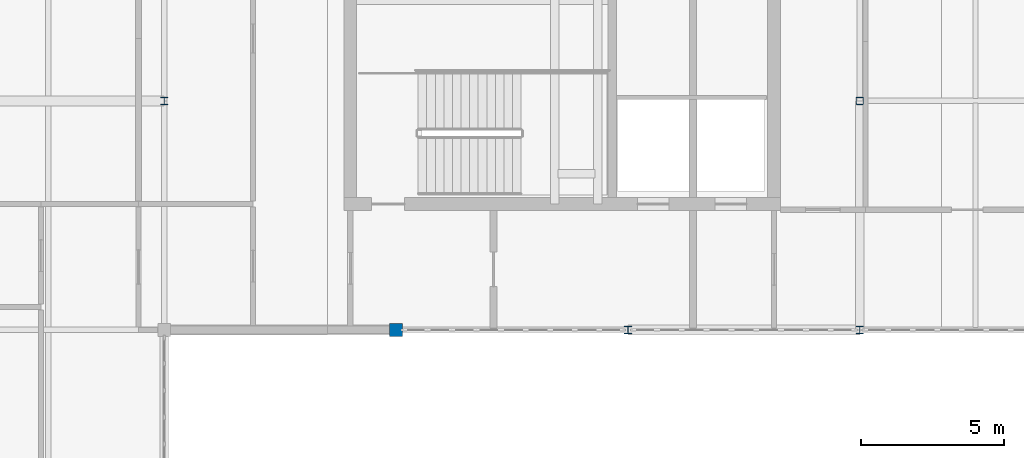
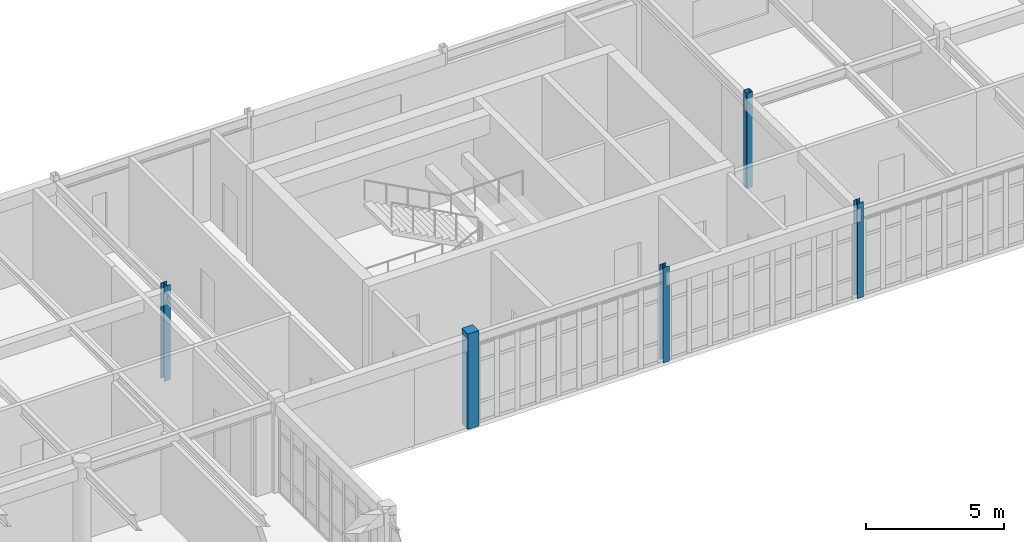
# One storey, part 3 of 36: 5 columns.
"""IFC4 building model written with IfcOpenShell, lengths in metres."""

import ifcopenshell
import ifcopenshell.guid

model = None  # the IFC model being written
_history = None  # IfcOwnerHistory: only IFC2X3 demands one
_inside = {}  # id of a spatial element -> (the spatial element, [elements in it])
_under = {}  # id of a project, library or spatial element -> (it, [spatial elements below it])
_declared = {}  # id of a project -> (the project, [libraries it declares])
_typed = {}  # id of a type object -> (the type object, [elements of that type])
_made_of = {}  # id of a material, layer set ... -> (it, [elements and type objects made of it])


def new_model(schema):
    """Start an empty IFC model of exactly this schema.

    Asked for "IFC4X3", IfcOpenShell would pick the latest addendum, in which some entities
    have other attributes; the version numbers below select the first issue.
    IFC2X3 requires an IfcOwnerHistory on every rooted entity: one is made here for all.
    """
    global model, _history
    if schema == "IFC4X3":
        model = ifcopenshell.file(schema_version=(4, 3, 0, 0))
    else:
        model = ifcopenshell.file(schema=schema)
    _inside.clear()
    _under.clear()
    _declared.clear()
    _typed.clear()
    _made_of.clear()
    _history = None
    if model.schema == "IFC2X3":
        org = make("IfcOrganization", Name="unknown")
        user = make(
            "IfcPersonAndOrganization",
            ThePerson=make("IfcPerson", FamilyName="unknown"),
            TheOrganization=org,
        )
        app = make(
            "IfcApplication",
            ApplicationDeveloper=org,
            Version="unknown",
            ApplicationFullName="unknown",
            ApplicationIdentifier="unknown",
        )
        _history = make(
            "IfcOwnerHistory",
            OwningUser=user,
            OwningApplication=app,
            ChangeAction="ADDED",
            CreationDate=0,
        )
    return model


def make(cls, **values):
    """One entity of the class cls with the attributes given. An attribute that is None is left unset."""
    return model.create_entity(
        cls, **{name: value for name, value in values.items() if value is not None}
    )


def rooted(cls, **values):
    """An entity with a GlobalId (a new one), such as an element, a storey or a relation."""
    return make(cls, GlobalId=ifcopenshell.guid.new(), OwnerHistory=_history, **values)


def si_unit(unit_type, name, prefix=None):
    """IfcSIUnit, for example si_unit("LENGTHUNIT", "METRE", prefix="MILLI")."""
    return make("IfcSIUnit", UnitType=unit_type, Prefix=prefix, Name=name)


def assignment(units):
    """IfcUnitAssignment: the units of a project."""
    return None if units is None else make("IfcUnitAssignment", Units=units)


def point(xyz):
    """IfcCartesianPoint."""
    return None if xyz is None else make("IfcCartesianPoint", Coordinates=xyz)


def direction(xyz):
    """IfcDirection."""
    return None if xyz is None else make("IfcDirection", DirectionRatios=xyz)


def frame(location, z_axis=None, x_axis=None):
    """IfcAxis2Placement3D, a coordinate frame: its origin and axes. An axis left out is left unset."""
    return make(
        "IfcAxis2Placement3D",
        Location=point(location),
        Axis=direction(z_axis),
        RefDirection=direction(x_axis),
    )


def frame_2d(location, x_axis=None):
    """IfcAxis2Placement2D, a coordinate frame in the plane: its origin and x axis."""
    return make(
        "IfcAxis2Placement2D", Location=point(location), RefDirection=direction(x_axis)
    )


def origin():
    """The frame at (0, 0, 0) with its axes left unset."""
    return frame((0.0, 0.0, 0.0))


def origin_2d():
    """The frame at (0, 0) in the plane with its x axis left unset."""
    return frame_2d((0.0, 0.0))


def place(relative_to, where):
    """IfcLocalPlacement: puts the frame where relative to a parent placement (None: the world)."""
    return make(
        "IfcLocalPlacement", PlacementRelTo=relative_to, RelativePlacement=where
    )


def context(
    kind, dimensions, precision=None, world=None, true_north=None, identifier=None
):
    """IfcGeometricRepresentationContext, for example the 3D "Model" context."""
    return make(
        "IfcGeometricRepresentationContext",
        ContextIdentifier=identifier,
        ContextType=kind,
        CoordinateSpaceDimension=dimensions,
        Precision=precision,
        WorldCoordinateSystem=world,
        TrueNorth=true_north,
    )


def subcontext(parent, identifier, kind, view, scale=None):
    """IfcGeometricRepresentationSubContext, for example "Body" below "Model"."""
    return make(
        "IfcGeometricRepresentationSubContext",
        ContextIdentifier=identifier,
        ContextType=kind,
        ParentContext=parent,
        TargetScale=scale,
        TargetView=view,
    )


def project(units=None, contexts=None):
    """IfcProject with its units and contexts."""
    return rooted(
        "IfcProject",
        Name="project",
        RepresentationContexts=contexts,
        UnitsInContext=assignment(units),
    )


def spatial(cls, under=None, at=None, **own):
    """A site, building, storey or space (cls), placed at a placement, below another one or the project."""
    s = rooted(cls, ObjectPlacement=at, **own)
    if under is not None:
        _under.setdefault(under.id(), (under, []))[1].append(s)
    return s


def profile(cls, at=None, kind="AREA", **sizes):
    """A parametric profile (cls). Its sizes go by their IFC names, for example OverallWidth=200.0."""
    return make(cls, ProfileType=kind, Position=at, **sizes)


def rectangle(**sizes):
    """IfcRectangleProfileDef."""
    return profile("IfcRectangleProfileDef", **sizes)


def hollow_rectangle(**sizes):
    """IfcRectangleHollowProfileDef."""
    return profile("IfcRectangleHollowProfileDef", **sizes)


def i_section(**sizes):
    """IfcIShapeProfileDef."""
    return profile("IfcIShapeProfileDef", **sizes)


def extrude(swept, where, along, depth):
    """IfcExtrudedAreaSolid: the profile swept, set in the frame where, extruded along a direction by depth."""
    return make(
        "IfcExtrudedAreaSolid",
        SweptArea=swept,
        Position=where,
        ExtrudedDirection=direction(along),
        Depth=depth,
    )


def shape(context_of_items, identifier, shape_type, items):
    """IfcShapeRepresentation: the items that make up one representation, for example the "Body"."""
    return make(
        "IfcShapeRepresentation",
        ContextOfItems=context_of_items,
        RepresentationIdentifier=identifier,
        RepresentationType=shape_type,
        Items=items,
    )


def material(Name=None, Category=None):
    """IfcMaterial."""
    return make("IfcMaterial", Name=Name, Category=Category)


def material_profile(
    of_material, cross_section, Name=None, Category=None, Priority=None
):
    """IfcMaterialProfile: a cross section and its material."""
    return make(
        "IfcMaterialProfile",
        Name=Name,
        Material=of_material,
        Profile=cross_section,
        Priority=Priority,
        Category=Category,
    )


def profile_set(profiles, Name=None, composite=None):
    """IfcMaterialProfileSet."""
    return make(
        "IfcMaterialProfileSet",
        Name=Name,
        MaterialProfiles=profiles,
        CompositeProfile=composite,
    )


def made_of(thing, what):
    """Note that an element or type object is made of a material, layer set ...; save() writes the relation."""
    if what is not None:
        _made_of.setdefault(what.id(), (what, []))[1].append(thing)
    return thing


def type_object(cls, material=None, **own):
    """A type object (cls), such as IfcWallType, which elements share."""
    return made_of(rooted(cls, **own), material)


def element(
    cls,
    number,
    at=None,
    inside=None,
    cuts=None,
    type_object=None,
    material=None,
    context=None,
    identifier="Body",
    shape_type=None,
    held_by="IfcProductDefinitionShape",
    body=None,
    shapes=None,
    **own,
):
    """One element of the class cls, such as IfcWall. Its Tag is "e" and its number.

    at: its placement. inside: the storey or other place that contains it. cuts: it is an
    opening in that element (IfcRelVoidsElement). A single representation is given by context,
    identifier, shape_type and body (its items); several are given by shapes. held_by: the class
    of the entity that holds the representations. save() writes the other relations.
    """
    e = rooted(cls, Tag="e%d" % number, ObjectPlacement=at, **own)
    if body is not None:
        shapes = [shape(context, identifier, shape_type, body)]
    if shapes is not None:
        e.Representation = make(held_by, Representations=shapes)
    if inside is not None:
        _inside.setdefault(inside.id(), (inside, []))[1].append(e)
    if cuts is not None:
        rooted(
            "IfcRelVoidsElement", RelatingBuildingElement=cuts, RelatedOpeningElement=e
        )
    if type_object is not None:
        _typed.setdefault(type_object.id(), (type_object, []))[1].append(e)
    return made_of(e, material)


def aggregate(whole, parts):
    """IfcRelAggregates: a whole, such as a stair, and the parts it consists of."""
    return rooted("IfcRelAggregates", RelatingObject=whole, RelatedObjects=parts)


def save(model, path):
    """Write the relations noted so far, then the file.

    IfcRelAggregates (storeys below a building ...), IfcRelContainedInSpatialStructure (elements
    in a storey), IfcRelDefinesByType, IfcRelAssociatesMaterial and IfcRelDeclares: one each for
    every whole, place, type object, material and project.
    """
    for whole, parts in _under.values():
        aggregate(whole, parts)
    for where, things in _inside.values():
        rooted(
            "IfcRelContainedInSpatialStructure",
            RelatedElements=things,
            RelatingStructure=where,
        )
    for kind, things in _typed.values():
        rooted("IfcRelDefinesByType", RelatedObjects=things, RelatingType=kind)
    for what, things in _made_of.values():
        rooted("IfcRelAssociatesMaterial", RelatedObjects=things, RelatingMaterial=what)
    for by, libraries in _declared.values():
        rooted("IfcRelDeclares", RelatingContext=by, RelatedDefinitions=libraries)
    model.write(path)


model = new_model("IFC4")

# Units and contexts
model_context = context("Model", 3, precision=1e-05, world=origin(), true_north=direction((0.0, 1.0)))
body_context = subcontext(model_context, "Body", "Model", "MODEL_VIEW")
ifc_project = project(units=[si_unit("LENGTHUNIT", "METRE"), si_unit("AREAUNIT", "SQUARE_METRE"), si_unit("VOLUMEUNIT", "CUBIC_METRE"), si_unit("PLANEANGLEUNIT", "RADIAN"), si_unit("MASSUNIT", "GRAM", prefix="KILO")], contexts=[model_context])

# Site, building, storey
site_placement = place(None, origin())
site = spatial("IfcSite", under=ifc_project, at=site_placement, CompositionType="ELEMENT")
building_placement = place(site_placement, origin())
building = spatial("IfcBuilding", under=site, at=building_placement, Name="Tarnveldt Square Police Headquarters", CompositionType="ELEMENT")
storey_placement = place(building_placement, frame((0.0, 0.0, 24.89990234375)))
storey = spatial("IfcBuildingStorey", under=building, at=storey_placement, Name="L05", CompositionType="ELEMENT", Elevation=24.89990234375)

# Columns
ifc_material_1 = material(Name="Steel 350W", Category="steel")
ifc_material_profile_1 = material_profile(ifc_material_1, hollow_rectangle(XDim=0.25390625, YDim=0.25390625, WallThickness=0.0126953125, InnerFilletRadius=0.0126953125, OuterFilletRadius=0.025390625, at=origin_2d()), Name="HSS254x254x13")
ifc_profile_set_1 = profile_set([ifc_material_profile_1], Name="Steel 350W")
column_type_1 = type_object("IfcColumnType", Name="COL-HSS254x13", PredefinedType="COLUMN", material=ifc_profile_set_1)
column_1_placement = place(storey_placement, frame((64.800048828125, 104.0, 0.0), z_axis=(0.0, 0.0, 1.0), x_axis=(1.0, 0.0, 0.0)))
element("IfcColumn", 1, at=column_1_placement, inside=storey, type_object=column_type_1, Name="L05 Column 105", PredefinedType="COLUMN", context=body_context, shape_type="SweptSolid", body=[
    extrude(hollow_rectangle(XDim=0.25390625, YDim=0.25390625, WallThickness=0.0126953125, InnerFilletRadius=0.0126953125, OuterFilletRadius=0.025390625, at=origin_2d()), origin(), (0.0, 0.0, 1.0), 4.2001953125),
])
ifc_material_2 = material(Name="Concrete 40 MPa", Category="concrete")
ifc_material_profile_2 = material_profile(ifc_material_2, rectangle(XDim=0.449951171875, YDim=0.449951171875, at=origin_2d()), Name="RC-C450x450")
ifc_profile_set_2 = profile_set([ifc_material_profile_2], Name="Concrete 40 MPa")
column_type_2 = type_object("IfcColumnType", Name="COL-RC450", PredefinedType="COLUMN", material=ifc_profile_set_2)
column_2_placement = place(storey_placement, frame((48.60009765625, 96.0, 0.0), z_axis=(0.0, 0.0, 1.0), x_axis=(1.0, 0.0, 0.0)))
element("IfcColumn", 2, at=column_2_placement, inside=storey, type_object=column_type_2, Name="L05 Column 079", PredefinedType="COLUMN", context=body_context, shape_type="SweptSolid", body=[
    extrude(rectangle(XDim=0.449951171875, YDim=0.449951171875, at=origin_2d()), origin(), (0.0, 0.0, 1.0), 4.2001953125),
])
ifc_material_profile_3 = material_profile(ifc_material_1, i_section(OverallWidth=0.256103515625, OverallDepth=0.260009765625, WebThickness=0.0107421875, FlangeThickness=0.017333984375, FilletRadius=0.012939453125, at=origin_2d()), Name="W250x89")
ifc_profile_set_3 = profile_set([ifc_material_profile_3], Name="Steel 350W")
column_type_3 = type_object("IfcColumnType", Name="COL-W250x89", PredefinedType="COLUMN", material=ifc_profile_set_3)
for number, where, z_axis, x_axis, name in (
    (3, (40.5, 104.0, 0.0), (0.0, 0.0, 1.0), (1.0, 0.0, 0.0), "L05 Column 068"),
    (4, (56.699951171875, 96.0, 0.0), (0.0, 0.0, 1.0), (1.0, 0.0, 0.0), "L05 Column 092"),
    (5, (64.800048828125, 96.0, 0.0), (0.0, 0.0, 1.0), (1.0, 0.0, 0.0), "L05 Column 104"),
):
    element("IfcColumn", number, at=place(storey_placement, frame(where, z_axis=z_axis, x_axis=x_axis)), inside=storey, type_object=column_type_3, Name=name, PredefinedType="COLUMN", context=body_context, shape_type="SweptSolid", body=[
        extrude(i_section(OverallWidth=0.256103515625, OverallDepth=0.260009765625, WebThickness=0.0107421875, FlangeThickness=0.017333984375, FilletRadius=0.012939453125, at=origin_2d()), origin(), (0.0, 0.0, 1.0), 4.2001953125),
    ])

save(model, "model.ifc")
